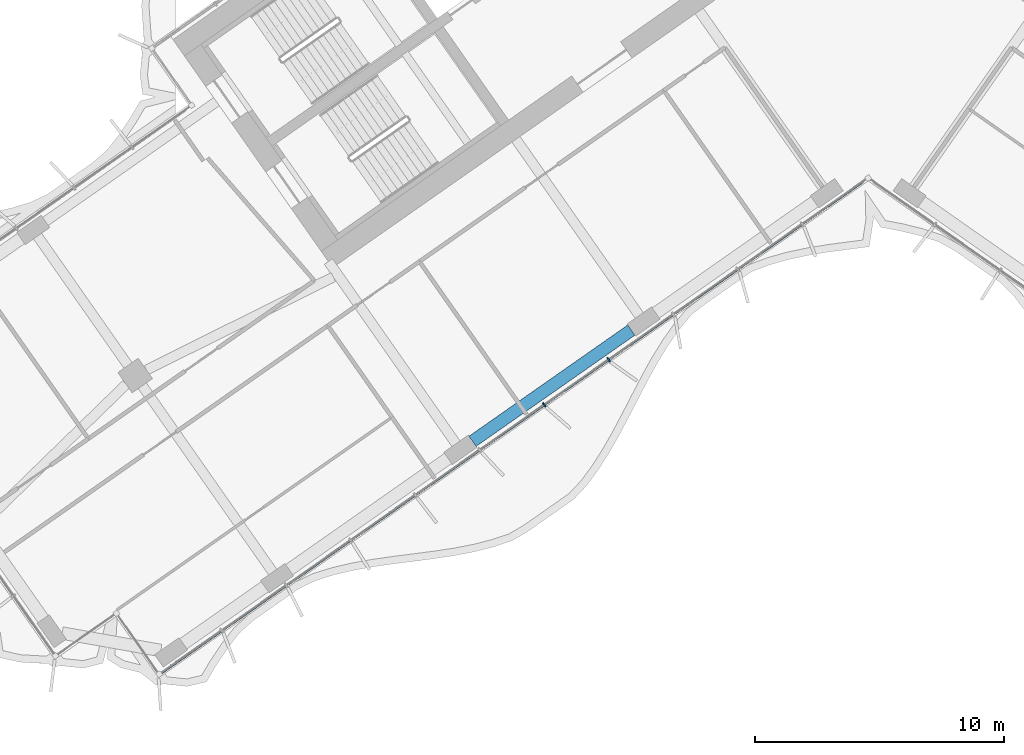
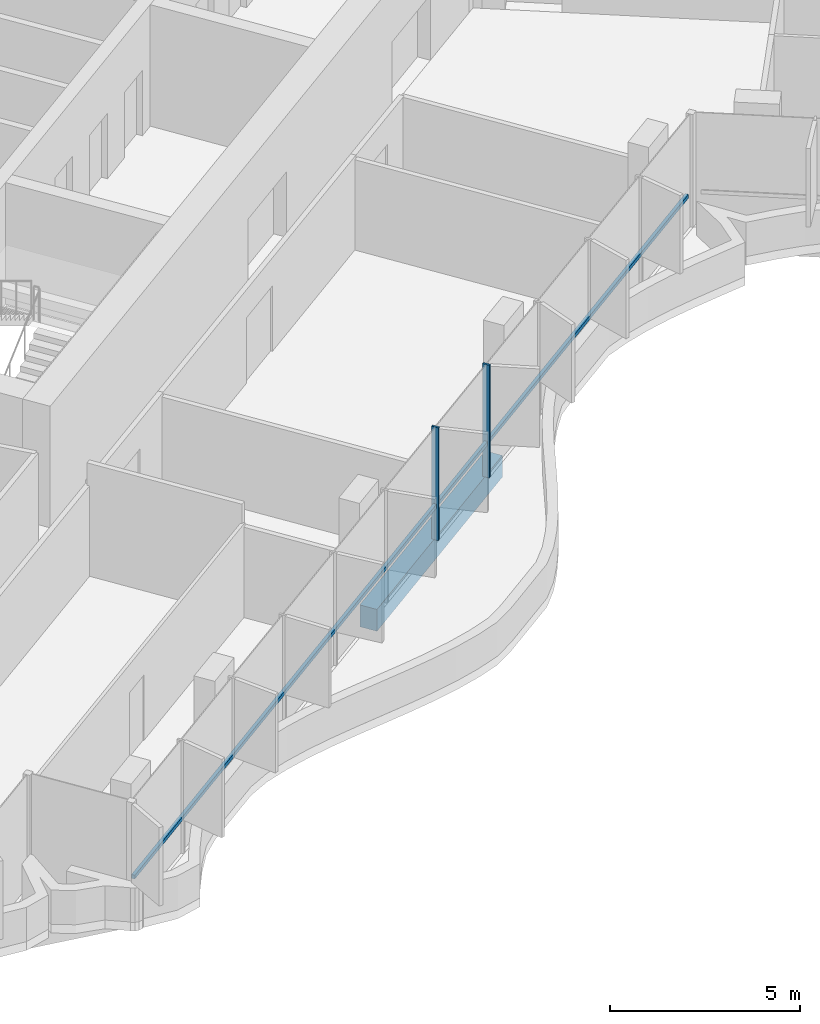
# One storey, part 3 of 21: 3 members, 1 beam, 1 element without a shape of its own.
"""IFC4 building model written with IfcOpenShell, lengths in metres."""

from ifc_helpers import new_model, si_unit, direction, frame, origin, origin_2d, place, context, subcontext, project, spatial, rectangle, extrude, material, material_profile, profile_set, type_object, element, aggregate, save


model = new_model("IFC4")

# Units and contexts
model_context = context("Model", 3, precision=1e-05, world=origin(), true_north=direction((0.0, 1.0)))
body_context = subcontext(model_context, "Body", "Model", "MODEL_VIEW")
ifc_project = project(units=[si_unit("LENGTHUNIT", "METRE"), si_unit("AREAUNIT", "SQUARE_METRE"), si_unit("VOLUMEUNIT", "CUBIC_METRE"), si_unit("PLANEANGLEUNIT", "RADIAN"), si_unit("MASSUNIT", "GRAM", prefix="KILO")], contexts=[model_context])

# Site, building, storey
site_placement = place(None, origin())
site = spatial("IfcSite", under=ifc_project, at=site_placement, CompositionType="ELEMENT")
building_placement = place(site_placement, origin())
building = spatial("IfcBuilding", under=site, at=building_placement, Name="Tel Ilan Convention Tower", CompositionType="ELEMENT")
storey_placement = place(building_placement, frame((0.0, 0.0, 155.39990234375)))
storey = spatial("IfcBuildingStorey", under=building, at=storey_placement, Name="L35", CompositionType="ELEMENT", Elevation=155.39990234375)

# Beam
ifc_material_1 = material(Name="Concrete C40/50", Category="concrete")
ifc_material_profile_1 = material_profile(ifc_material_1, rectangle(XDim=0.5, YDim=0.699951171875, at=origin_2d()), Name="RC 500x700")
ifc_profile_set_1 = profile_set([ifc_material_profile_1], Name="Concrete C40/50")
beam_type = type_object("IfcBeamType", Name="Beam RC 500x700 Concrete C40/50", PredefinedType="BEAM", material=ifc_profile_set_1)
beam_placement = place(storey_placement, frame((-9.529052734375, -18.819091796875, -0.6298828125), z_axis=(-0.819153977895, -0.573573674866, 0.0), x_axis=(0.573573674866, -0.819153977895, 0.0)))
element("IfcBeam", 1, at=beam_placement, inside=storey, type_object=beam_type, Name="L35 beam W-W-F2-W-F3", PredefinedType="BEAM", context=body_context, shape_type="SweptSolid", body=[
    extrude(rectangle(XDim=0.5, YDim=0.699951171875, at=origin_2d()), origin(), (0.0, 0.0, 1.0), 7.800048828125),
])

# Curtain wall, members
ifc_material_2 = material(Name="Aluminium, bronze anodised", Category="aluminium")
curtain_wall_type = type_object("IfcCurtainWallType", Name="CW4 STICK CURTAIN WALL, OFFICE TINTED GLASS", PredefinedType="NOTDEFINED", material=ifc_material_2)
curtain_wall_placement = place(storey_placement, origin())
curtain_wall = element("IfcCurtainWall", 2, at=curtain_wall_placement, inside=storey, type_object=curtain_wall_type, Name="Curtain wall CW4-27.02", PredefinedType="NOTDEFINED")
ifc_material_3 = material(Name="Aluminium, bronze anodised", Category="aluminium")
ifc_material_profile_2 = material_profile(ifc_material_3, rectangle(XDim=0.06005859375, YDim=0.199951171875, at=origin_2d()), Name="CW MULLION 60x200")
ifc_profile_set_2 = profile_set([ifc_material_profile_2], Name="Aluminium, bronze anodised")
member_type_1 = type_object("IfcMemberType", Name="CW MULLION 60x200", PredefinedType="MULLION", material=ifc_profile_set_2)
member_1_placement = place(storey_placement, frame((-13.03271484375, -21.821533203125, 0.0), z_axis=(0.0, 0.0, 1.0), x_axis=(0.819152044289, 0.573576436351, 0.0)))
member_1 = element("IfcMember", 3, at=member_1_placement, type_object=member_type_1, Name="Mullion", PredefinedType="MULLION", context=body_context, shape_type="SweptSolid", body=[
    extrude(rectangle(XDim=0.06005859375, YDim=0.199951171875, at=origin_2d()), origin(), (0.0, 0.0, 1.0), 3.6201171875),
])
member_2_placement = place(storey_placement, frame((-10.4375, -20.004638671875, 0.0), z_axis=(0.0, 0.0, 1.0), x_axis=(0.819152044289, 0.573576436351, 0.0)))
member_2 = element("IfcMember", 4, at=member_2_placement, type_object=member_type_1, Name="Mullion", PredefinedType="MULLION", context=body_context, shape_type="SweptSolid", body=[
    extrude(rectangle(XDim=0.06005859375, YDim=0.199951171875, at=origin_2d()), origin(), (0.0, 0.0, 1.0), 3.6201171875),
])
ifc_material_4 = material(Name="Aluminium, bronze anodised", Category="aluminium")
ifc_material_profile_3 = material_profile(ifc_material_4, rectangle(XDim=0.10009765625, YDim=0.1201171875, at=origin_2d()), Name="CW TRANSOM 100x120")
ifc_profile_set_3 = profile_set([ifc_material_profile_3], Name="Aluminium, bronze anodised")
member_type_2 = type_object("IfcMemberType", Name="CW TRANSOM 100x120", PredefinedType="USERDEFINED", material=ifc_profile_set_3)
member_3_placement = place(storey_placement, frame((-28.439208984375, -32.609375, 1.10009765625), z_axis=(0.819151003602, 0.573577922604, 0.0), x_axis=(-0.573577922604, 0.819151003602, 0.0)))
member_3 = element("IfcMember", 5, at=member_3_placement, type_object=member_type_2, Name="Transom", ObjectType="TRANSOM", PredefinedType="USERDEFINED", context=body_context, shape_type="SweptSolid", body=[
    extrude(rectangle(XDim=0.10009765625, YDim=0.1201171875, at=origin_2d()), origin(), (0.0, 0.0, 1.0), 34.447998046875),
])
aggregate(curtain_wall, [member_1, member_2, member_3])

save(model, "model.ifc")
